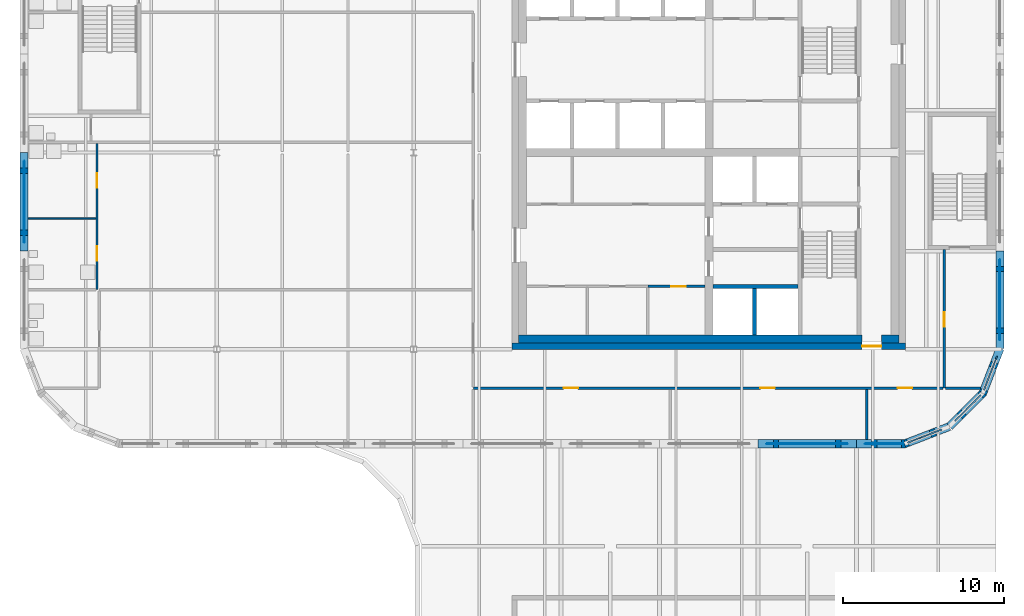
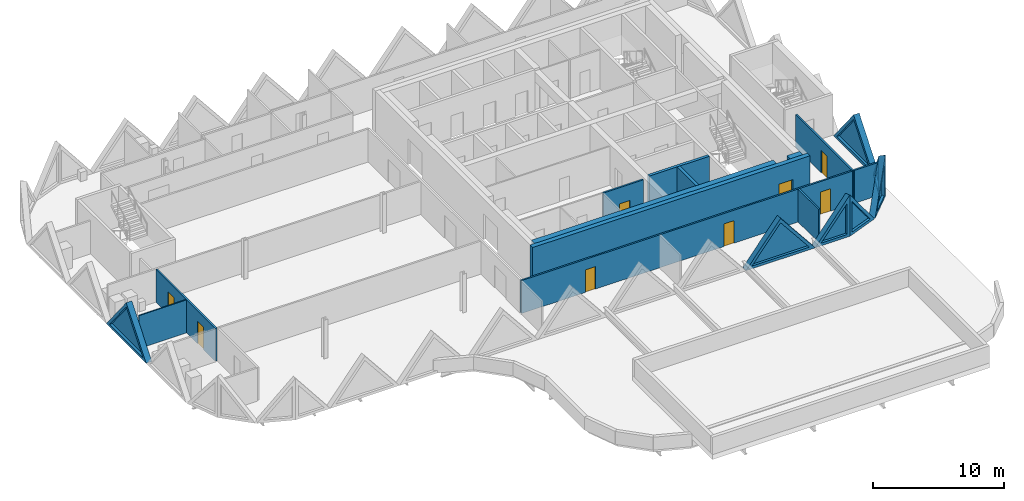
# One storey, part 5 of 12: 19 walls, 8 doors, 7 plates, 15 openings.
"""IFC4 building model written with IfcOpenShell, lengths in metres."""

from ifc_helpers import new_model, si_unit, direction, frame, frame_2d, origin, place, context, subcontext, project, spatial, polyline, rectangle, outline, extrude, faceted_brep, source, transform, mapped, material, layer, layer_set, type_object, element, fill, save


model = new_model("IFC4")

# Units and contexts
model_context = context("Model", 3, precision=1e-05, world=origin(), true_north=direction((0.0, 1.0)))
body_context = subcontext(model_context, "Body", "Model", "MODEL_VIEW")
ifc_project = project(units=[si_unit("LENGTHUNIT", "METRE"), si_unit("AREAUNIT", "SQUARE_METRE"), si_unit("VOLUMEUNIT", "CUBIC_METRE"), si_unit("PLANEANGLEUNIT", "RADIAN"), si_unit("MASSUNIT", "GRAM", prefix="KILO")], contexts=[model_context])

# Site, building, storey
site_placement = place(None, origin())
site = spatial("IfcSite", under=ifc_project, at=site_placement, CompositionType="ELEMENT")
building_placement = place(site_placement, origin())
building = spatial("IfcBuilding", under=site, at=building_placement, Name="Tessera Gate Towers", CompositionType="ELEMENT")
storey_placement = place(building_placement, frame((0.0, 0.0, 236.89990234375)))
storey = spatial("IfcBuildingStorey", under=building, at=storey_placement, Name="L59", CompositionType="ELEMENT", Elevation=236.89990234375)

# Walls
ifc_material_1 = material(Name="Concrete C40/50", Category="concrete")
ifc_layer_1 = layer(ifc_material_1, 0.25)
ifc_layer_set_1 = layer_set([ifc_layer_1], Name="CORE ENCLOSURE WALL 250")
wall_type_1 = type_object("IfcWallType", Name="CORE ENCLOSURE WALL 250", PredefinedType="SOLIDWALL", material=ifc_layer_set_1)
wall_1_placement = place(storey_placement, frame((42.949951171875, 28.300048828125, 0.0), z_axis=(0.0, 0.0, 1.0), x_axis=(1.0, 0.0, 0.0)))
element("IfcWall", 1, at=wall_1_placement, inside=storey, type_object=wall_type_1, Name="L59 shaft and stair enclosure wall", PredefinedType="SOLIDWALL", context=body_context, shape_type="SweptSolid", body=[
    extrude(rectangle(XDim=5.275146484375, YDim=0.25, at=frame_2d((2.6376953125, 0.0))), origin(), (0.0, 0.0, 1.0), 3.800048828125),
])
wall_2_placement = place(storey_placement, frame((45.52490234375, 25.300048828125, 0.0), z_axis=(0.0, 0.0, 1.0), x_axis=(0.0, 1.0, 0.0)))
element("IfcWall", 2, at=wall_2_placement, inside=storey, type_object=wall_type_1, Name="L59 shaft and stair enclosure wall", PredefinedType="SOLIDWALL", context=body_context, shape_type="SweptSolid", body=[
    extrude(rectangle(XDim=2.875, YDim=0.25, at=frame_2d((1.4375, 0.0))), origin(), (0.0, 0.0, 1.0), 3.800048828125),
])

# Wall, opening, door
ifc_material_2 = material(Name="Concrete C40/50", Category="concrete")
ifc_layer_2 = layer(ifc_material_2, 0.39990234375)
ifc_layer_set_2 = layer_set([ifc_layer_2], Name="CORE SHEAR WALL 400 C40/50")
wall_type_2 = type_object("IfcWallType", Name="CORE SHEAR WALL 400 C40/50", PredefinedType="SHEAR", material=ifc_layer_set_2)
wall_3_placement = place(storey_placement, frame((54.89990234375, 24.60009765625, 0.0), z_axis=(0.0, 0.0, 1.0), x_axis=(-1.0, 0.0, 0.0)))
wall_3 = element("IfcWall", 3, at=wall_3_placement, inside=storey, type_object=wall_type_2, Name="Core wall S L59", PredefinedType="SHEAR", context=body_context, shape_type="SweptSolid", body=[
    extrude(rectangle(XDim=24.39990234375, YDim=0.39990234375, at=frame_2d((12.199951171875, 0.0))), origin(), (0.0, 0.0, 1.0), 3.800048828125),
])
shared_shape_1 = source(origin(), body_context, "Body", "SweptSolid", [
    extrude(rectangle(XDim=1.199951171875, YDim=2.10009765625, at=frame_2d((0.60009765625, 1.050048828125))), frame((0.0, 0.2099609375, 0.0), z_axis=(0.0, -1.0, 0.0), x_axis=(1.0, 0.0, 0.0)), (0.0, 0.0, 1.0), 0.419921875),
])
opening_1_placement = place(wall_3_placement, frame((1.5, 0.0, 0.0)))
opening_1 = element("IfcOpeningElement", 4, at=opening_1_placement, cuts=wall_3, Name="Opening ED-T1-36-01", PredefinedType="OPENING", context=body_context, shape_type="MappedRepresentation", body=[
    mapped(shared_shape_1, transform((0.0, 0.0, 0.0), scale=1.0)),
])
ifc_material_3 = material(Name="Hollow steel fire door", Category="steel")
door_type_1 = type_object("IfcDoorType", Name="CORE DOOR ED 1200x2100", OperationType="NOTDEFINED", PredefinedType="DOOR", material=ifc_material_3)
shared_shape_2 = source(origin(), body_context, "Body", "SweptSolid", [
    extrude(rectangle(XDim=1.199951171875, YDim=2.10009765625, at=frame_2d((0.60009765625, 1.050048828125))), frame((0.0, 0.02490234375, 0.0), z_axis=(0.0, -1.0, 0.0), x_axis=(1.0, 0.0, 0.0)), (0.0, 0.0, 1.0), 0.050048828125),
])
door_1_placement = place(opening_1_placement, origin())
door_1 = element("IfcDoor", 5, at=door_1_placement, inside=storey, type_object=door_type_1, Name="Core exit door", OperationType="SINGLE_SWING_LEFT", OverallHeight=2.10009765625, OverallWidth=1.199951171875, PredefinedType="DOOR", context=body_context, shape_type="MappedRepresentation", body=[
    mapped(shared_shape_2, transform((0.0, 0.0, 0.0), scale=1.0)),
])
fill(opening_1, door_1)

# Walls
ifc_material_4 = material(Name="Concrete C40/50", Category="concrete")
ifc_layer_3 = layer(ifc_material_4, 0.5)
ifc_layer_set_3 = layer_set([ifc_layer_3], Name="CORE WALL THICKENING 500")
wall_type_3 = type_object("IfcWallType", Name="CORE WALL THICKENING 500", PredefinedType="SOLIDWALL", material=ifc_layer_set_3)
wall_4_placement = place(storey_placement, frame((30.89990234375, 25.050048828125, 0.0), z_axis=(0.0, 0.0, 1.0), x_axis=(1.0, 0.0, 0.0)))
element("IfcWall", 6, at=wall_4_placement, inside=storey, type_object=wall_type_3, Name="Core wall thickening S L59", PredefinedType="SOLIDWALL", context=body_context, shape_type="SweptSolid", body=[
    extrude(rectangle(XDim=21.300048828125, YDim=0.5, at=frame_2d((10.64990234375, 0.0))), origin(), (0.0, 0.0, 1.0), 3.800048828125),
])
wall_5_placement = place(storey_placement, frame((53.39990234375, 25.050048828125, 0.0), z_axis=(0.0, 0.0, 1.0), x_axis=(1.0, 0.0, 0.0)))
element("IfcWall", 7, at=wall_5_placement, inside=storey, type_object=wall_type_3, Name="Core wall thickening S L59", PredefinedType="SOLIDWALL", context=body_context, shape_type="SweptSolid", body=[
    extrude(rectangle(XDim=1.10009765625, YDim=0.5, at=frame_2d((0.550048828125, 0.0))), origin(), (0.0, 0.0, 1.0), 3.800048828125),
])

# Wall, openings, doors
ifc_material_5 = material(Name="Gypsum board on steel studs, mineral wool", Category="steel")
ifc_layer_4 = layer(ifc_material_5, 0.14990234375)
ifc_layer_set_4 = layer_set([ifc_layer_4], Name="CORRIDOR WALL 150")
wall_type_4 = type_object("IfcWallType", Name="CORRIDOR WALL 150", PredefinedType="PARTITIONING", material=ifc_layer_set_4)
wall_6_placement = place(storey_placement, frame((57.22412109375, 22.0, 0.0), z_axis=(0.0, 0.0, 1.0), x_axis=(-1.0, 0.0, 0.0)))
wall_6 = element("IfcWall", 8, at=wall_6_placement, inside=storey, type_object=wall_type_4, Name="T1-L59-PW-006", PredefinedType="PARTITIONING", context=body_context, shape_type="SweptSolid", body=[
    extrude(rectangle(XDim=29.1240234375, YDim=0.14990234375, at=frame_2d((14.56201171875, 0.0))), origin(), (0.0, 0.0, 1.0), 3.067138671875),
])
shared_shape_3 = source(origin(), body_context, "Body", "SweptSolid", [
    extrude(rectangle(XDim=0.89990234375, YDim=2.10009765625, at=frame_2d((0.449951171875, 1.050048828125))), frame((0.0, 0.0849609375, 0.0), z_axis=(0.0, -1.0, 0.0), x_axis=(1.0, 0.0, 0.0)), (0.0, 0.0, 1.0), 0.169921875),
])
opening_2_placement = place(wall_6_placement, frame((1.923095703125, 0.0, 0.0)))
opening_2 = element("IfcOpeningElement", 9, at=opening_2_placement, cuts=wall_6, Name="Opening D890FD60-A36-01", PredefinedType="OPENING", context=body_context, shape_type="MappedRepresentation", body=[
    mapped(shared_shape_3, transform((0.0, 0.0, 0.0), scale=1.0)),
])
opening_3_placement = place(wall_6_placement, frame((22.6240234375, 0.0, 0.0)))
opening_3 = element("IfcOpeningElement", 10, at=opening_3_placement, cuts=wall_6, Name="Opening D890FD60-A36-05", PredefinedType="OPENING", context=body_context, shape_type="MappedRepresentation", body=[
    mapped(shared_shape_3, transform((0.0, 0.0, 0.0), scale=1.0)),
])
opening_4_placement = place(wall_6_placement, frame((10.424072265625, 0.0, 0.0)))
opening_4 = element("IfcOpeningElement", 11, at=opening_4_placement, cuts=wall_6, Name="Opening D890FD60-A36-07", PredefinedType="OPENING", context=body_context, shape_type="MappedRepresentation", body=[
    mapped(shared_shape_3, transform((0.0, 0.0, 0.0), scale=1.0)),
])
ifc_material_6 = material(Name="Timber door leaf in steel frame", Category="steel")
door_type_2 = type_object("IfcDoorType", Name="CORRIDOR DOOR 900 FD60", OperationType="NOTDEFINED", PredefinedType="DOOR", material=ifc_material_6)
shared_shape_4 = source(origin(), body_context, "Body", "SweptSolid", [
    extrude(rectangle(XDim=0.89990234375, YDim=2.10009765625, at=frame_2d((0.449951171875, 1.050048828125))), frame((0.0, 0.02490234375, 0.0), z_axis=(0.0, -1.0, 0.0), x_axis=(1.0, 0.0, 0.0)), (0.0, 0.0, 1.0), 0.050048828125),
])
door_2_placement = place(opening_2_placement, origin())
door_2 = element("IfcDoor", 12, at=door_2_placement, inside=storey, type_object=door_type_2, Name="T1-L59-PD-004", OperationType="SINGLE_SWING_RIGHT", OverallHeight=2.10009765625, OverallWidth=0.89990234375, PredefinedType="DOOR", context=body_context, shape_type="MappedRepresentation", body=[
    mapped(shared_shape_4, transform((0.0, 0.0, 0.0), scale=1.0)),
])
fill(opening_2, door_2)
door_3_placement = place(opening_3_placement, origin())
door_3 = element("IfcDoor", 13, at=door_3_placement, inside=storey, type_object=door_type_2, Name="T1-L59-PD-019", OperationType="SINGLE_SWING_RIGHT", OverallHeight=2.10009765625, OverallWidth=0.89990234375, PredefinedType="DOOR", context=body_context, shape_type="MappedRepresentation", body=[
    mapped(shared_shape_4, transform((0.0, 0.0, 0.0), scale=1.0)),
])
fill(opening_3, door_3)
door_4_placement = place(opening_4_placement, origin())
door_4 = element("IfcDoor", 14, at=door_4_placement, inside=storey, type_object=door_type_2, Name="T1-L59-PD-021", OperationType="SINGLE_SWING_RIGHT", OverallHeight=2.10009765625, OverallWidth=0.89990234375, PredefinedType="DOOR", context=body_context, shape_type="MappedRepresentation", body=[
    mapped(shared_shape_4, transform((0.0, 0.0, 0.0), scale=1.0)),
])
fill(opening_4, door_4)

# Wall, opening, door
wall_7_placement = place(storey_placement, frame((57.300048828125, 30.60009765625, 0.0), z_axis=(0.0, 0.0, 1.0), x_axis=(0.0, -1.0, 0.0)))
wall_7 = element("IfcWall", 15, at=wall_7_placement, inside=storey, type_object=wall_type_4, Name="T1-L59-PW-007", PredefinedType="PARTITIONING", context=body_context, shape_type="SweptSolid", body=[
    extrude(rectangle(XDim=8.60009765625, YDim=0.14990234375, at=frame_2d((4.300048828125, 0.0))), origin(), (0.0, 0.0, 1.0), 3.067138671875),
])
opening_5_placement = place(wall_7_placement, frame((3.89990234375, 0.0, 0.0)))
opening_5 = element("IfcOpeningElement", 16, at=opening_5_placement, cuts=wall_7, Name="Opening D890FD60-A36-02", PredefinedType="OPENING", context=body_context, shape_type="MappedRepresentation", body=[
    mapped(shared_shape_3, transform((0.0, 0.0, 0.0), scale=1.0)),
])
door_5_placement = place(opening_5_placement, origin())
door_5 = element("IfcDoor", 17, at=door_5_placement, inside=storey, type_object=door_type_2, Name="T1-L59-PD-013", OperationType="SINGLE_SWING_RIGHT", OverallHeight=2.10009765625, OverallWidth=0.89990234375, PredefinedType="DOOR", context=body_context, shape_type="MappedRepresentation", body=[
    mapped(shared_shape_4, transform((0.0, 0.0, 0.0), scale=1.0)),
])
fill(opening_5, door_5)

# Wall
ifc_material_7 = material(Name="Gypsum board on steel studs", Category="steel")
ifc_layer_5 = layer(ifc_material_7, 0.10009765625)
ifc_layer_set_5 = layer_set([ifc_layer_5], Name="PARTITION 100")
wall_type_5 = type_object("IfcWallType", Name="PARTITION 100", PredefinedType="PARTITIONING", material=ifc_layer_set_5)
wall_8_placement = place(storey_placement, frame((0.5, 32.52001953125, 0.0), z_axis=(0.0, 0.0, 1.0), x_axis=(1.0, 0.0, 0.0)))
element("IfcWall", 18, at=wall_8_placement, inside=storey, type_object=wall_type_5, Name="T1-L59-PW-013", PredefinedType="PARTITIONING", context=body_context, shape_type="SweptSolid", body=[
    extrude(rectangle(XDim=4.198974609375, YDim=0.10009765625, at=frame_2d((2.099609375, 0.0))), origin(), (0.0, 0.0, 1.0), 3.067138671875),
])

# Wall, opening, door
ifc_material_8 = material(Name="Gypsum board on steel studs", Category="steel")
ifc_layer_6 = layer(ifc_material_8, 0.14990234375)
ifc_layer_set_6 = layer_set([ifc_layer_6], Name="SERVICE ROOM WALL 150")
wall_type_6 = type_object("IfcWallType", Name="SERVICE ROOM WALL 150", PredefinedType="PARTITIONING", material=ifc_layer_set_6)
wall_9_placement = place(storey_placement, frame((42.449951171875, 28.300048828125, 0.0), z_axis=(0.0, 0.0, 1.0), x_axis=(-1.0, 0.0, 0.0)))
wall_9 = element("IfcWall", 19, at=wall_9_placement, inside=storey, type_object=wall_type_6, Name="L59 service room wall", PredefinedType="PARTITIONING", context=body_context, shape_type="SweptSolid", body=[
    extrude(rectangle(XDim=3.52490234375, YDim=0.14990234375, at=frame_2d((1.762451171875, 0.0))), origin(), (0.0, 0.0, 1.0), 3.60009765625),
])
opening_6_placement = place(wall_9_placement, frame((1.1875, 0.0, 0.0)))
opening_6 = element("IfcOpeningElement", 20, at=opening_6_placement, cuts=wall_9, Name="Opening RD-T1-36-13", PredefinedType="OPENING", context=body_context, shape_type="MappedRepresentation", body=[
    mapped(shared_shape_3, transform((0.0, 0.0, 0.0), scale=1.0)),
])
ifc_material_9 = material(Name="Hollow steel fire door", Category="steel")
door_type_3 = type_object("IfcDoorType", Name="CORE DOOR RD 900x2100", OperationType="NOTDEFINED", PredefinedType="DOOR", material=ifc_material_9)
door_6_placement = place(opening_6_placement, origin())
door_6 = element("IfcDoor", 21, at=door_6_placement, inside=storey, type_object=door_type_3, Name="Core room door", OperationType="SINGLE_SWING_LEFT", OverallHeight=2.10009765625, OverallWidth=0.89990234375, PredefinedType="DOOR", context=body_context, shape_type="MappedRepresentation", body=[
    mapped(shared_shape_4, transform((0.0, 0.0, 0.0), scale=1.0)),
])
fill(opening_6, door_6)

# Walls
ifc_material_10 = material(Name="Gypsum board on steel studs, mineral wool", Category="steel")
ifc_layer_7 = layer(ifc_material_10, 0.14990234375)
ifc_layer_set_7 = layer_set([ifc_layer_7], Name="TENANCY WALL 150")
wall_type_7 = type_object("IfcWallType", Name="TENANCY WALL 150", PredefinedType="PARTITIONING", material=ifc_layer_set_7)
wall_10_placement = place(storey_placement, frame((52.5, 18.800048828125, 0.0), z_axis=(0.0, 0.0, 1.0), x_axis=(0.0, 1.0, 0.0)))
element("IfcWall", 22, at=wall_10_placement, inside=storey, type_object=wall_type_7, Name="T1-L59-PW-003", PredefinedType="PARTITIONING", context=body_context, shape_type="SweptSolid", body=[
    extrude(rectangle(XDim=3.1240234375, YDim=0.14990234375, at=frame_2d((1.56201171875, 0.0))), origin(), (0.0, 0.0, 1.0), 3.067138671875),
])
wall_11_placement = place(storey_placement, frame((57.3759765625, 22.0, 0.0), z_axis=(0.0, 0.0, 1.0), x_axis=(1.0, 0.0, 0.0)))
element("IfcWall", 23, at=wall_11_placement, inside=storey, type_object=wall_type_7, Name="T1-L59-PW-008", PredefinedType="PARTITIONING", context=body_context, shape_type="SweptSolid", body=[
    extrude(rectangle(XDim=2.162353515625, YDim=0.14990234375, at=frame_2d((1.0810546875, 0.0))), origin(), (0.0, 0.0, 1.0), 3.067138671875),
])

# Wall, openings, doors
wall_12_placement = place(storey_placement, frame((4.77490234375, 28.10009765625, 0.0), z_axis=(0.0, 0.0, 1.0), x_axis=(0.0, 1.0, 0.0)))
wall_12 = element("IfcWall", 24, at=wall_12_placement, inside=storey, type_object=wall_type_7, Name="T1-L59-PW-011", PredefinedType="PARTITIONING", context=body_context, shape_type="SweptSolid", body=[
    extrude(rectangle(XDim=9.073974609375, YDim=0.14990234375, at=frame_2d((4.537109375, 0.0))), origin(), (0.0, 0.0, 1.0), 3.067138671875),
])
opening_7_placement = place(wall_12_placement, frame((1.800048828125, 0.0, 0.0)))
opening_7 = element("IfcOpeningElement", 25, at=opening_7_placement, cuts=wall_12, Name="Opening D190-A36-02", PredefinedType="OPENING", context=body_context, shape_type="MappedRepresentation", body=[
    mapped(shared_shape_3, transform((0.0, 0.0, 0.0), scale=1.0)),
])
opening_8_placement = place(wall_12_placement, frame((6.3203125, 0.0, 0.0)))
opening_8 = element("IfcOpeningElement", 26, at=opening_8_placement, cuts=wall_12, Name="Opening D190-A36-03", PredefinedType="OPENING", context=body_context, shape_type="MappedRepresentation", body=[
    mapped(shared_shape_3, transform((0.0, 0.0, 0.0), scale=1.0)),
])
ifc_material_11 = material(Name="Timber door leaf in steel frame", Category="steel")
door_type_4 = type_object("IfcDoorType", Name="INTERNAL DOOR 900 NOT RATED", OperationType="NOTDEFINED", PredefinedType="DOOR", material=ifc_material_11)
door_7_placement = place(opening_7_placement, origin())
door_7 = element("IfcDoor", 27, at=door_7_placement, inside=storey, type_object=door_type_4, Name="T1-L59-PD-002", OperationType="SINGLE_SWING_LEFT", OverallHeight=2.10009765625, OverallWidth=0.89990234375, PredefinedType="DOOR", context=body_context, shape_type="MappedRepresentation", body=[
    mapped(shared_shape_4, transform((0.0, 0.0, 0.0), scale=1.0)),
])
fill(opening_7, door_7)
door_8_placement = place(opening_8_placement, origin())
door_8 = element("IfcDoor", 28, at=door_8_placement, inside=storey, type_object=door_type_4, Name="T1-L59-PD-003", OperationType="SINGLE_SWING_LEFT", OverallHeight=2.10009765625, OverallWidth=0.89990234375, PredefinedType="DOOR", context=body_context, shape_type="MappedRepresentation", body=[
    mapped(shared_shape_4, transform((0.0, 0.0, 0.0), scale=1.0)),
])
fill(opening_8, door_8)

# Wall, opening, plate
ifc_material_12 = material(Name="Precast concrete C60/75 white", Category="concrete")
ifc_layer_8 = layer(ifc_material_12, 0.5)
ifc_layer_set_8 = layer_set([ifc_layer_8], Name="TS2 half tessera")
wall_type_8 = type_object("IfcWallType", Name="TS2 half tessera", PredefinedType="SOLIDWALL", material=ifc_layer_set_8)
shared_shape_5 = source(origin(), body_context, "Body", "SweptSolid", [
    extrude(outline(polyline([(6.10009765625, 0.0), (3.050048828125, 3.800048828125), (0.0, 0.0), (6.10009765625, 0.0)])), frame((0.0, 0.25, 0.0), z_axis=(0.0, -1.0, 0.0), x_axis=(1.0, 0.0, 0.0)), (0.0, 0.0, 1.0), 0.5),
])
wall_13_placement = place(storey_placement, frame((45.75, 18.550048828125, 0.0), z_axis=(0.0, 0.0, 1.0), x_axis=(1.0, 0.0, 0.0)))
wall_13 = element("IfcWall", 29, at=wall_13_placement, inside=storey, type_object=wall_type_8, Name="Precast half tessera T1 TS2-0282", PredefinedType="SOLIDWALL", context=body_context, shape_type="MappedRepresentation", body=[
    mapped(shared_shape_5, transform((0.0, 0.0, 0.0), scale=1.0)),
])
shared_shape_6 = source(origin(), body_context, "Body", "SweptSolid", [
    extrude(outline(polyline([(5.578857421875, 0.25), (3.050048828125, 3.400634765625), (0.521240234375, 0.25), (5.578857421875, 0.25)])), frame((0.0, 0.260009765625, 0.0), z_axis=(0.0, -1.0, 0.0), x_axis=(1.0, 0.0, 0.0)), (0.0, 0.0, 1.0), 0.52001953125),
])
opening_9_placement = place(wall_13_placement, origin())
opening_9 = element("IfcOpeningElement", 30, at=opening_9_placement, cuts=wall_13, Name="Opening T1-PL1-0578", PredefinedType="OPENING", context=body_context, shape_type="MappedRepresentation", body=[
    mapped(shared_shape_6, transform((0.0, 0.0, 0.0), scale=1.0)),
])
ifc_material_13 = material(Name="Low-e laminated glass", Category="glass")
ifc_layer_9 = layer(ifc_material_13, 0.06005859375)
ifc_layer_set_9 = layer_set([ifc_layer_9], Name="PL1 triangular pane")
plate_type = type_object("IfcPlateType", Name="PL1 triangular pane", PredefinedType="SHEET", material=ifc_layer_set_9)
shared_shape_7 = source(origin(), body_context, "Body", "SweptSolid", [
    extrude(outline(polyline([(5.578857421875, 0.25), (3.050048828125, 3.400634765625), (0.521240234375, 0.25), (5.578857421875, 0.25)])), frame((0.0, 0.030029296875, 0.0), z_axis=(0.0, -1.0, 0.0), x_axis=(1.0, 0.0, 0.0)), (0.0, 0.0, 1.0), 0.06005859375),
])
plate_1_placement = place(opening_9_placement, origin())
plate_1 = element("IfcPlate", 31, at=plate_1_placement, inside=storey, type_object=plate_type, Name="Glass pane T1 PL1-0578", PredefinedType="SHEET", context=body_context, shape_type="MappedRepresentation", body=[
    mapped(shared_shape_7, transform((0.0, 0.0, 0.0), scale=1.0)),
])
fill(opening_9, plate_1)

wall_14_placement = place(storey_placement, frame((0.25, 36.60009765625, 0.0), z_axis=(0.0, 0.0, 1.0), x_axis=(0.0, -1.0, 0.0)))
wall_14 = element("IfcWall", 32, at=wall_14_placement, inside=storey, type_object=wall_type_8, Name="Precast half tessera T1 TS2-0296", PredefinedType="SOLIDWALL", context=body_context, shape_type="MappedRepresentation", body=[
    mapped(shared_shape_5, transform((0.0, 0.0, 0.0), scale=1.0)),
])
opening_10_placement = place(wall_14_placement, origin())
opening_10 = element("IfcOpeningElement", 33, at=opening_10_placement, cuts=wall_14, Name="Opening T1-PL1-0604", PredefinedType="OPENING", context=body_context, shape_type="MappedRepresentation", body=[
    mapped(shared_shape_6, transform((0.0, 0.0, 0.0), scale=1.0)),
])
plate_2_placement = place(opening_10_placement, origin())
plate_2 = element("IfcPlate", 34, at=plate_2_placement, inside=storey, type_object=plate_type, Name="Glass pane T1 PL1-0604", PredefinedType="SHEET", context=body_context, shape_type="MappedRepresentation", body=[
    mapped(shared_shape_7, transform((0.0, 0.0, 0.0), scale=1.0)),
])
fill(opening_10, plate_2)

ifc_material_14 = material(Name="Precast concrete C60/75 white", Category="concrete")
ifc_layer_10 = layer(ifc_material_14, 0.5)
ifc_layer_set_10 = layer_set([ifc_layer_10], Name="TS3 corner tessera")
wall_type_9 = type_object("IfcWallType", Name="TS3 corner tessera", PredefinedType="SOLIDWALL", material=ifc_layer_set_10)
shared_shape_8 = source(origin(), body_context, "Body", "Brep", [
    faceted_brep([(3.050048828125, -0.25, 3.739990234375), (3.00341796875, -0.25, 3.800048828125), (0.0, -0.25, 0.0), (3.050048828125, -0.25, 0.0), (0.0, 0.25, 0.0), (2.956787109375, 0.25, 3.7412109375), (2.956787109375, 0.25, 0.0), (3.00341796875, 0.000244140625, 3.800048828125)], [[[0, 1, 2, 3]], [[4, 5, 6]], [[7, 1, 0]], [[5, 4, 2, 1, 7]], [[4, 6, 3, 2]], [[3, 6, 5, 7, 0]]]),
])
wall_15_placement = place(storey_placement, frame((51.85009765625, 18.550048828125, 0.0), z_axis=(0.0, 0.0, 1.0), x_axis=(1.0, 0.0, 0.0)))
wall_15 = element("IfcWall", 35, at=wall_15_placement, inside=storey, type_object=wall_type_9, Name="Precast corner tessera T1 TS3-1371", PredefinedType="SOLIDWALL", context=body_context, shape_type="MappedRepresentation", body=[
    mapped(shared_shape_8, transform((0.0, 0.0, 0.0), scale=1.0)),
])
shared_shape_9 = source(origin(), body_context, "Body", "SweptSolid", [
    extrude(outline(polyline([(2.803466796875, 3.143798828125), (0.516357421875, 0.25), (2.803466796875, 0.25), (2.803466796875, 3.143798828125)])), frame((0.0, 0.260009765625, 0.0), z_axis=(0.0, -1.0, 0.0), x_axis=(1.0, 0.0, 0.0)), (0.0, 0.0, 1.0), 0.52001953125),
])
opening_11_placement = place(wall_15_placement, origin())
opening_11 = element("IfcOpeningElement", 36, at=opening_11_placement, cuts=wall_15, Name="Opening T1-PL1-0579", PredefinedType="OPENING", context=body_context, shape_type="MappedRepresentation", body=[
    mapped(shared_shape_9, transform((0.0, 0.0, 0.0), scale=1.0)),
])
shared_shape_10 = source(origin(), body_context, "Body", "SweptSolid", [
    extrude(outline(polyline([(2.803466796875, 3.143798828125), (0.516357421875, 0.25), (2.803466796875, 0.25), (2.803466796875, 3.143798828125)])), frame((0.0, 0.030029296875, 0.0), z_axis=(0.0, -1.0, 0.0), x_axis=(1.0, 0.0, 0.0)), (0.0, 0.0, 1.0), 0.06005859375),
])
plate_3_placement = place(opening_11_placement, origin())
plate_3 = element("IfcPlate", 37, at=plate_3_placement, inside=storey, type_object=plate_type, Name="Glass pane T1 PL1-0579", PredefinedType="SHEET", context=body_context, shape_type="MappedRepresentation", body=[
    mapped(shared_shape_10, transform((0.0, 0.0, 0.0), scale=1.0)),
])
fill(opening_11, plate_3)

shared_shape_11 = source(origin(), body_context, "Body", "Brep", [
    faceted_brep([(2.9970703125, -0.25, 0.0), (0.046630859375, -0.25, 3.800048828125), (0.0, -0.25, 3.7412109375), (0.0, -0.25, 0.0), (0.09326171875, 0.25, 3.739990234375), (2.9443359375, 0.25, 0.068115234375), (2.9443359375, 0.25, 0.0), (0.09326171875, 0.25, 0.0), (0.046630859375, 0.0, 3.800048828125), (2.9970703125, 0.00048828125, 0.0)], [[[0, 1, 2, 3]], [[4, 5, 6, 7]], [[5, 4, 8, 1, 0, 9]], [[2, 1, 8]], [[7, 6, 9, 0, 3]], [[7, 3, 2, 8, 4]], [[9, 6, 5]]]),
])
wall_16_placement = place(storey_placement, frame((54.81005859375, 18.533203125, 0.0), z_axis=(0.0, 0.0, 1.0), x_axis=(0.932990326376, 0.359901446078, 0.0)))
wall_16 = element("IfcWall", 38, at=wall_16_placement, inside=storey, type_object=wall_type_9, Name="Precast corner tessera T1 TS3-1372", PredefinedType="SOLIDWALL", context=body_context, shape_type="MappedRepresentation", body=[
    mapped(shared_shape_11, transform((0.0, 0.0, 0.0), scale=1.0)),
])
shared_shape_12 = source(origin(), body_context, "Body", "SweptSolid", [
    extrude(outline(polyline([(2.486572265625, 0.25), (0.24658203125, 3.134765625), (0.24658203125, 0.25), (2.486572265625, 0.25)])), frame((0.0, 0.260009765625, 0.0), z_axis=(0.0, -1.0, 0.0), x_axis=(1.0, 0.0, 0.0)), (0.0, 0.0, 1.0), 0.52001953125),
])
opening_12_placement = place(wall_16_placement, origin())
opening_12 = element("IfcOpeningElement", 39, at=opening_12_placement, cuts=wall_16, Name="Opening T1-PL1-0580", PredefinedType="OPENING", context=body_context, shape_type="MappedRepresentation", body=[
    mapped(shared_shape_12, transform((0.0, 0.0, 0.0), scale=1.0)),
])
shared_shape_13 = source(origin(), body_context, "Body", "SweptSolid", [
    extrude(outline(polyline([(2.486572265625, 0.25), (0.24658203125, 3.134765625), (0.24658203125, 0.25), (2.486572265625, 0.25)])), frame((0.0, 0.030029296875, 0.0), z_axis=(0.0, -1.0, 0.0), x_axis=(1.0, 0.0, 0.0)), (0.0, 0.0, 1.0), 0.06005859375),
])
plate_4_placement = place(opening_12_placement, origin())
plate_4 = element("IfcPlate", 40, at=plate_4_placement, inside=storey, type_object=plate_type, Name="Glass pane T1 PL1-0580", PredefinedType="SHEET", context=body_context, shape_type="MappedRepresentation", body=[
    mapped(shared_shape_13, transform((0.0, 0.0, 0.0), scale=1.0)),
])
fill(opening_12, plate_4)

shared_shape_14 = source(origin(), body_context, "Body", "Brep", [
    faceted_brep([(3.00341796875, -0.25, 0.0), (0.052978515625, -0.25, 3.800048828125), (0.0, -0.25, 3.731689453125), (0.0, -0.25, 0.0), (0.10595703125, 0.25, 3.73193359375), (2.95703125, 0.25, 0.059814453125), (2.95703125, 0.25, 0.0), (0.10595703125, 0.25, 0.0), (0.052978515625, 0.0, 3.800048828125), (3.00341796875, 0.00048828125, 0.0)], [[[0, 1, 2, 3]], [[4, 5, 6, 7]], [[5, 4, 8, 1, 0, 9]], [[2, 1, 8]], [[7, 6, 9, 0, 3]], [[7, 3, 2, 8, 4]], [[9, 6, 5]]]),
])
wall_17_placement = place(storey_placement, frame((59.6689453125, 21.644287109375, 0.0), z_axis=(0.0, 0.0, 1.0), x_axis=(0.35992665181, 0.932980602862, 0.0)))
wall_17 = element("IfcWall", 41, at=wall_17_placement, inside=storey, type_object=wall_type_9, Name="Precast corner tessera T1 TS3-1374", PredefinedType="SOLIDWALL", context=body_context, shape_type="MappedRepresentation", body=[
    mapped(shared_shape_14, transform((0.0, 0.0, 0.0), scale=1.0)),
])
shared_shape_15 = source(origin(), body_context, "Body", "SweptSolid", [
    extrude(outline(polyline([(2.492919921875, 0.25), (0.2529296875, 3.134765625), (0.2529296875, 0.25), (2.492919921875, 0.25)])), frame((0.0, 0.260009765625, 0.0), z_axis=(0.0, -1.0, 0.0), x_axis=(1.0, 0.0, 0.0)), (0.0, 0.0, 1.0), 0.52001953125),
])
opening_13_placement = place(wall_17_placement, origin())
opening_13 = element("IfcOpeningElement", 42, at=opening_13_placement, cuts=wall_17, Name="Opening T1-PL1-0582", PredefinedType="OPENING", context=body_context, shape_type="MappedRepresentation", body=[
    mapped(shared_shape_15, transform((0.0, 0.0, 0.0), scale=1.0)),
])
shared_shape_16 = source(origin(), body_context, "Body", "SweptSolid", [
    extrude(outline(polyline([(2.492919921875, 0.25), (0.2529296875, 3.134765625), (0.2529296875, 0.25), (2.492919921875, 0.25)])), frame((0.0, 0.030029296875, 0.0), z_axis=(0.0, -1.0, 0.0), x_axis=(1.0, 0.0, 0.0)), (0.0, 0.0, 1.0), 0.06005859375),
])
plate_5_placement = place(opening_13_placement, origin())
plate_5 = element("IfcPlate", 43, at=plate_5_placement, inside=storey, type_object=plate_type, Name="Glass pane T1 PL1-0582", PredefinedType="SHEET", context=body_context, shape_type="MappedRepresentation", body=[
    mapped(shared_shape_16, transform((0.0, 0.0, 0.0), scale=1.0)),
])
fill(opening_13, plate_5)

shared_shape_17 = source(origin(), body_context, "Body", "Brep", [
    faceted_brep([(6.053466796875, -0.25, 0.0), (3.00341796875, -0.25, 3.800048828125), (0.0, -0.25, 0.0), (0.046630859375, 0.25, 0.058837890625), (3.00341796875, 0.25, 3.800048828125), (6.053466796875, 0.25, 0.0), (0.046630859375, 0.25, 0.0), (0.0, 0.0, 0.0)], [[[0, 1, 2]], [[3, 4, 5, 6]], [[5, 4, 1, 0]], [[4, 3, 7, 2, 1]], [[6, 5, 0, 2, 7]], [[6, 7, 3]]]),
])
wall_18_placement = place(storey_placement, frame((60.75, 24.446533203125, 0.0), z_axis=(0.0, 0.0, 1.0), x_axis=(0.0, 1.0, 0.0)))
wall_18 = element("IfcWall", 44, at=wall_18_placement, inside=storey, type_object=wall_type_8, Name="Precast half tessera T1 TS2-0283", PredefinedType="SOLIDWALL", context=body_context, shape_type="MappedRepresentation", body=[
    mapped(shared_shape_17, transform((0.0, 0.0, 0.0), scale=1.0)),
])
shared_shape_18 = source(origin(), body_context, "Body", "SweptSolid", [
    extrude(outline(polyline([(5.5322265625, 0.25), (3.0048828125, 3.39892578125), (0.516357421875, 0.25), (5.5322265625, 0.25)])), frame((0.0, 0.260009765625, 0.0), z_axis=(0.0, -1.0, 0.0), x_axis=(1.0, 0.0, 0.0)), (0.0, 0.0, 1.0), 0.52001953125),
])
opening_14_placement = place(wall_18_placement, origin())
opening_14 = element("IfcOpeningElement", 45, at=opening_14_placement, cuts=wall_18, Name="Opening T1-PL1-0583", PredefinedType="OPENING", context=body_context, shape_type="MappedRepresentation", body=[
    mapped(shared_shape_18, transform((0.0, 0.0, 0.0), scale=1.0)),
])
shared_shape_19 = source(origin(), body_context, "Body", "SweptSolid", [
    extrude(outline(polyline([(5.5322265625, 0.25), (3.0048828125, 3.39892578125), (0.516357421875, 0.25), (5.5322265625, 0.25)])), frame((0.0, 0.030029296875, 0.0), z_axis=(0.0, -1.0, 0.0), x_axis=(1.0, 0.0, 0.0)), (0.0, 0.0, 1.0), 0.06005859375),
])
plate_6_placement = place(opening_14_placement, origin())
plate_6 = element("IfcPlate", 46, at=plate_6_placement, inside=storey, type_object=plate_type, Name="Glass pane T1 PL1-0583", PredefinedType="SHEET", context=body_context, shape_type="MappedRepresentation", body=[
    mapped(shared_shape_19, transform((0.0, 0.0, 0.0), scale=1.0)),
])
fill(opening_14, plate_6)

shared_shape_20 = source(origin(), body_context, "Body", "Brep", [
    faceted_brep([(2.9970703125, -0.25, 3.73193359375), (2.944091796875, -0.25, 3.800048828125), (0.0, -0.25, 0.0), (2.9970703125, -0.25, 0.0), (0.052978515625, 0.25, 0.068359375), (2.89111328125, 0.25, 3.73193359375), (2.89111328125, 0.25, 0.0), (0.052978515625, 0.25, 0.0), (2.944091796875, 0.000244140625, 3.800048828125), (0.0, 0.0, 0.0)], [[[0, 1, 2, 3]], [[4, 5, 6, 7]], [[8, 1, 0]], [[5, 4, 9, 2, 1, 8]], [[7, 6, 3, 2, 9]], [[7, 9, 4]], [[3, 6, 5, 8, 0]]]),
])
wall_19_placement = place(storey_placement, frame((57.606201171875, 19.61181640625, 0.0), z_axis=(0.0, 0.0, 1.0), x_axis=(0.707106781187, 0.707106781187, 0.0)))
wall_19 = element("IfcWall", 47, at=wall_19_placement, inside=storey, type_object=wall_type_9, Name="Precast corner tessera T1 TS3-1373", PredefinedType="SOLIDWALL", context=body_context, shape_type="MappedRepresentation", body=[
    mapped(shared_shape_20, transform((0.0, 0.0, 0.0), scale=1.0)),
])
shared_shape_21 = source(origin(), body_context, "Body", "SweptSolid", [
    extrude(outline(polyline([(2.744140625, 3.1337890625), (0.510009765625, 0.25), (2.744140625, 0.25), (2.744140625, 3.1337890625)])), frame((0.0, 0.260009765625, 0.0), z_axis=(0.0, -1.0, 0.0), x_axis=(1.0, 0.0, 0.0)), (0.0, 0.0, 1.0), 0.52001953125),
])
opening_15_placement = place(wall_19_placement, origin())
opening_15 = element("IfcOpeningElement", 48, at=opening_15_placement, cuts=wall_19, Name="Opening T1-PL1-0581", PredefinedType="OPENING", context=body_context, shape_type="MappedRepresentation", body=[
    mapped(shared_shape_21, transform((0.0, 0.0, 0.0), scale=1.0)),
])
shared_shape_22 = source(origin(), body_context, "Body", "SweptSolid", [
    extrude(outline(polyline([(2.744140625, 3.1337890625), (0.510009765625, 0.25), (2.744140625, 0.25), (2.744140625, 3.1337890625)])), frame((0.0, 0.030029296875, 0.0), z_axis=(0.0, -1.0, 0.0), x_axis=(1.0, 0.0, 0.0)), (0.0, 0.0, 1.0), 0.06005859375),
])
plate_7_placement = place(opening_15_placement, origin())
plate_7 = element("IfcPlate", 49, at=plate_7_placement, inside=storey, type_object=plate_type, Name="Glass pane T1 PL1-0581", PredefinedType="SHEET", context=body_context, shape_type="MappedRepresentation", body=[
    mapped(shared_shape_22, transform((0.0, 0.0, 0.0), scale=1.0)),
])
fill(opening_15, plate_7)

save(model, "model.ifc")
